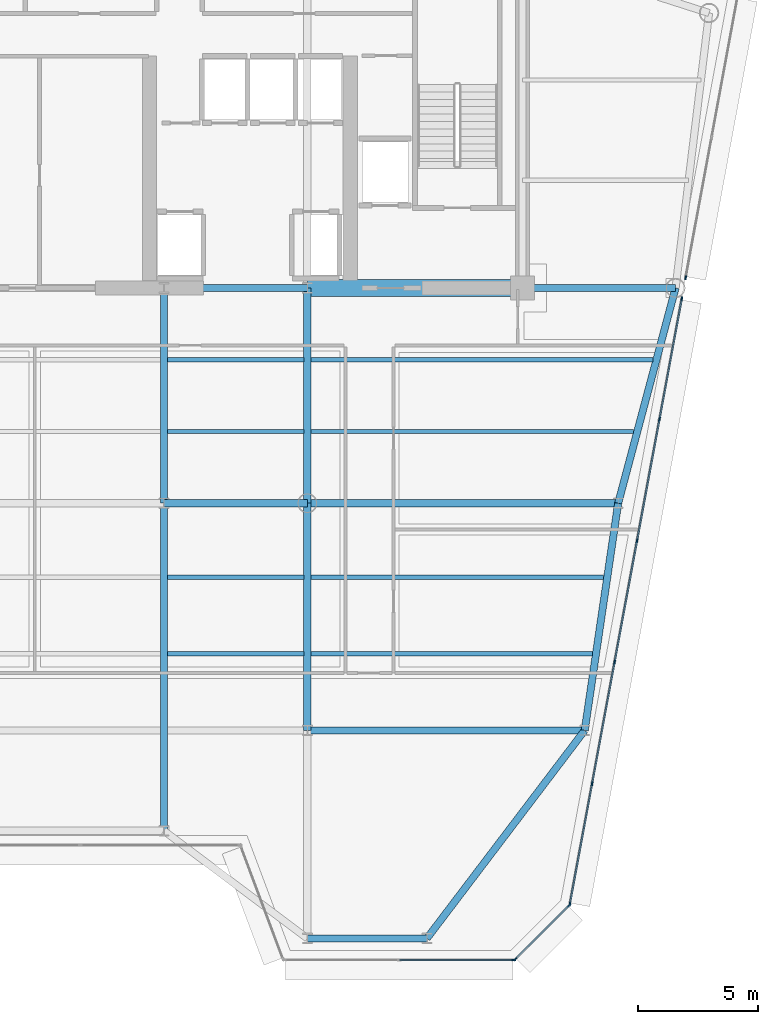
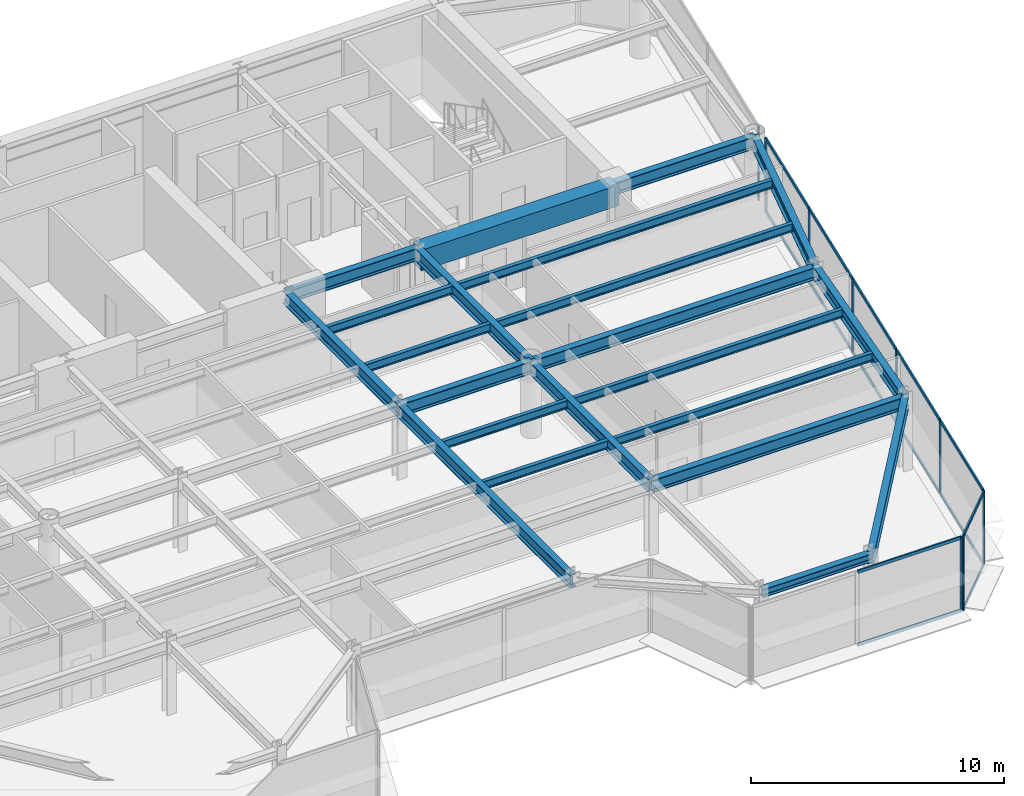
# One storey, part 6 of 16: 24 members, 22 beams, 4 elements without a shape of their own.
"""IFC4 building model written with IfcOpenShell, lengths in metres."""

from ifc_helpers import new_model, si_unit, direction, frame, origin, origin_2d, place, context, subcontext, project, spatial, rectangle, i_section, extrude, source, transform, mapped, material, layer, layer_set, material_profile, profile_set, type_object, element, aggregate, save


model = new_model("IFC4")

# Units and contexts
model_context = context("Model", 3, precision=1e-05, world=origin(), true_north=direction((0.0, 1.0)))
body_context = subcontext(model_context, "Body", "Model", "MODEL_VIEW")
ifc_project = project(units=[si_unit("LENGTHUNIT", "METRE"), si_unit("AREAUNIT", "SQUARE_METRE"), si_unit("VOLUMEUNIT", "CUBIC_METRE"), si_unit("PLANEANGLEUNIT", "RADIAN"), si_unit("MASSUNIT", "GRAM", prefix="KILO")], contexts=[model_context])

# Site, building, storey
site_placement = place(None, origin())
site = spatial("IfcSite", under=ifc_project, at=site_placement, CompositionType="ELEMENT")
building_placement = place(site_placement, origin())
building = spatial("IfcBuilding", under=site, at=building_placement, Name="Vaeldorn Concourse Tower", CompositionType="ELEMENT")
storey_placement = place(building_placement, frame((0.0, 0.0, 210.800048828125)))
storey = spatial("IfcBuildingStorey", under=building, at=storey_placement, Name="L54", CompositionType="ELEMENT", Elevation=210.800048828125)

# Beams
ifc_material_1 = material(Name="Concrete C50/60", Category="concrete")
ifc_material_profile_1 = material_profile(ifc_material_1, rectangle(XDim=0.699951171875, YDim=1.0, at=origin_2d()), Name="RC 700x1000")
ifc_profile_set_1 = profile_set([ifc_material_profile_1], Name="Concrete C50/60")
beam_type_1 = type_object("IfcBeamType", Name="BM-CB-RC700", PredefinedType="BEAM", material=ifc_profile_set_1)
shared_shape_1 = source(origin(), body_context, "Body", "SweptSolid", [
    extrude(rectangle(XDim=0.699951171875, YDim=1.0, at=origin_2d()), origin(), (0.0, 0.0, 1.0), 9.0),
])
beam_1_placement = place(storey_placement, frame((45.0, 36.5, 3.079833984375), z_axis=(1.0, 0.0, 0.0), x_axis=(0.0, 1.0, 0.0)))
element("IfcBeam", 1, at=beam_1_placement, inside=storey, type_object=beam_type_1, Name="Core Coupling Beam L54-2", PredefinedType="BEAM", context=body_context, shape_type="MappedRepresentation", body=[
    mapped(shared_shape_1, transform((0.0, 0.0, 0.0), scale=1.0)),
])
ifc_material_2 = material(Name="Steel S355", Category="steel")
ifc_material_profile_2 = material_profile(ifc_material_2, i_section(OverallWidth=0.300048828125, OverallDepth=0.60009765625, WebThickness=0.015380859375, FlangeThickness=0.030029296875, FilletRadius=0.027099609375, at=origin_2d()), Name="HEB 600")
ifc_profile_set_2 = profile_set([ifc_material_profile_2], Name="Steel S355")
beam_type_2 = type_object("IfcBeamType", Name="BM-PG-HEB600", PredefinedType="BEAM", material=ifc_profile_set_2)
shared_shape_2 = source(origin(), body_context, "Body", "SweptSolid", [
    extrude(i_section(OverallWidth=0.300048828125, OverallDepth=0.60009765625, WebThickness=0.015380859375, FlangeThickness=0.030029296875, FilletRadius=0.027099609375, at=origin_2d()), origin(), (0.0, 0.0, 1.0), 6.0),
])
for number, where, z_axis, x_axis, name in (
    (2, (39.0, 36.5, 3.280029296875), (1.0, 0.0, 0.0), (0.0, 1.0, 0.0), "Beam BM-L54-C-FC4-C-FC5"),
    (3, (39.0, 27.5, 3.280029296875), (1.0, 0.0, 0.0), (0.0, 1.0, 0.0), "Beam BM-L54-C-TW3-C-TW4"),
):
    element("IfcBeam", number, at=place(storey_placement, frame(where, z_axis=z_axis, x_axis=x_axis)), inside=storey, type_object=beam_type_2, Name=name, PredefinedType="BEAM", context=body_context, shape_type="MappedRepresentation", body=[
        mapped(shared_shape_2, transform((0.0, 0.0, 0.0), scale=1.0)),
    ])
shared_shape_3 = source(origin(), body_context, "Body", "SweptSolid", [
    extrude(i_section(OverallWidth=0.300048828125, OverallDepth=0.60009765625, WebThickness=0.015380859375, FlangeThickness=0.030029296875, FilletRadius=0.027099609375, at=origin_2d()), origin(), (0.0, 0.0, 1.0), 9.0),
])
for number, where, z_axis, x_axis, name in (
    (4, (39.0, 27.5, 3.280029296875), (0.0, 1.0, 0.0), (-1.0, 0.0, 0.0), "Beam BM-L54-C-TW3-C-FC4"),
    (5, (45.0, 27.5, 3.280029296875), (0.0, 1.0, 0.0), (-1.0, 0.0, 0.0), "Beam BM-L54-C-TW4-C-FC5"),
):
    element("IfcBeam", number, at=place(storey_placement, frame(where, z_axis=z_axis, x_axis=x_axis)), inside=storey, type_object=beam_type_2, Name=name, PredefinedType="BEAM", context=body_context, shape_type="MappedRepresentation", body=[
        mapped(shared_shape_3, transform((0.0, 0.0, 0.0), scale=1.0)),
    ])
shared_shape_4 = source(origin(), body_context, "Body", "SweptSolid", [
    extrude(i_section(OverallWidth=0.300048828125, OverallDepth=0.60009765625, WebThickness=0.015380859375, FlangeThickness=0.030029296875, FilletRadius=0.027099609375, at=origin_2d()), origin(), (0.0, 0.0, 1.0), 6.39990234375),
])
beam_2_placement = place(storey_placement, frame((54.0, 36.5, 3.280029296875), z_axis=(1.0, 0.0, 0.0), x_axis=(0.0, 1.0, 0.0)))
element("IfcBeam", 6, at=beam_2_placement, inside=storey, type_object=beam_type_2, Name="Beam BM-L54-C-FC6-C-NE2", PredefinedType="BEAM", context=body_context, shape_type="MappedRepresentation", body=[
    mapped(shared_shape_4, transform((0.0, 0.0, 0.0), scale=1.0)),
])
shared_shape_5 = source(origin(), body_context, "Body", "SweptSolid", [
    extrude(i_section(OverallWidth=0.300048828125, OverallDepth=0.60009765625, WebThickness=0.015380859375, FlangeThickness=0.030029296875, FilletRadius=0.027099609375, at=origin_2d()), origin(), (0.0, 0.0, 1.0), 9.314453125),
])
beam_3_placement = place(storey_placement, frame((60.39990234375, 36.5, 3.280029296875), z_axis=(-0.257652862255, -0.966237549763, 0.0), x_axis=(0.966237549763, -0.257652862255, 0.0)))
element("IfcBeam", 7, at=beam_3_placement, inside=storey, type_object=beam_type_2, Name="Beam BM-L54-C-NE2-C-FLE1", PredefinedType="BEAM", context=body_context, shape_type="MappedRepresentation", body=[
    mapped(shared_shape_5, transform((0.0, 0.0, 0.0), scale=1.0)),
])
shared_shape_6 = source(origin(), body_context, "Body", "SweptSolid", [
    extrude(i_section(OverallWidth=0.300048828125, OverallDepth=0.60009765625, WebThickness=0.015380859375, FlangeThickness=0.030029296875, FilletRadius=0.027099609375, at=origin_2d()), origin(), (0.0, 0.0, 1.0), 13.0),
])
beam_4_placement = place(storey_placement, frame((45.0, 27.5, 3.280029296875), z_axis=(1.0, 0.0, 0.0), x_axis=(0.0, 1.0, 0.0)))
element("IfcBeam", 8, at=beam_4_placement, inside=storey, type_object=beam_type_2, Name="Beam BM-L54-C-TW4-C-FLE1", PredefinedType="BEAM", context=body_context, shape_type="MappedRepresentation", body=[
    mapped(shared_shape_6, transform((0.0, 0.0, 0.0), scale=1.0)),
])
shared_shape_7 = source(origin(), body_context, "Body", "SweptSolid", [
    extrude(i_section(OverallWidth=0.300048828125, OverallDepth=0.60009765625, WebThickness=0.015380859375, FlangeThickness=0.030029296875, FilletRadius=0.027099609375, at=origin_2d()), origin(), (0.0, 0.0, 1.0), 9.6025390625),
])
beam_5_placement = place(storey_placement, frame((58.0, 27.5, 3.280029296875), z_axis=(-0.145783835977, -0.989316467652, 0.0), x_axis=(0.989316467652, -0.145783835977, 0.0)))
element("IfcBeam", 9, at=beam_5_placement, inside=storey, type_object=beam_type_2, Name="Beam BM-L54-C-FLE1-C-FLE2", PredefinedType="BEAM", context=body_context, shape_type="MappedRepresentation", body=[
    mapped(shared_shape_7, transform((0.0, 0.0, 0.0), scale=1.0)),
])
shared_shape_8 = source(origin(), body_context, "Body", "SweptSolid", [
    extrude(i_section(OverallWidth=0.300048828125, OverallDepth=0.60009765625, WebThickness=0.015380859375, FlangeThickness=0.030029296875, FilletRadius=0.027099609375, at=origin_2d()), origin(), (0.0, 0.0, 1.0), 11.60009765625),
])
beam_6_placement = place(storey_placement, frame((45.0, 18.0, 3.280029296875), z_axis=(1.0, 0.0, 0.0), x_axis=(0.0, 1.0, 0.0)))
element("IfcBeam", 10, at=beam_6_placement, inside=storey, type_object=beam_type_2, Name="Beam BM-L54-C-TW6-C-FLE2", PredefinedType="BEAM", context=body_context, shape_type="MappedRepresentation", body=[
    mapped(shared_shape_8, transform((0.0, 0.0, 0.0), scale=1.0)),
])
shared_shape_9 = source(origin(), body_context, "Body", "SweptSolid", [
    extrude(i_section(OverallWidth=0.300048828125, OverallDepth=0.60009765625, WebThickness=0.015380859375, FlangeThickness=0.030029296875, FilletRadius=0.027099609375, at=origin_2d()), origin(), (0.0, 0.0, 1.0), 9.5),
])
beam_7_placement = place(storey_placement, frame((45.0, 18.0, 3.280029296875), z_axis=(0.0, 1.0, 0.0), x_axis=(-1.0, 0.0, 0.0)))
element("IfcBeam", 11, at=beam_7_placement, inside=storey, type_object=beam_type_2, Name="Beam BM-L54-C-TW6-C-TW4", PredefinedType="BEAM", context=body_context, shape_type="MappedRepresentation", body=[
    mapped(shared_shape_9, transform((0.0, 0.0, 0.0), scale=1.0)),
])
ifc_material_profile_3 = material_profile(ifc_material_2, i_section(OverallWidth=0.300048828125, OverallDepth=0.39990234375, WebThickness=0.013427734375, FlangeThickness=0.02392578125, FilletRadius=0.027099609375, at=origin_2d()), Name="HEB 400")
ifc_profile_set_3 = profile_set([ifc_material_profile_3], Name="Steel S355")
beam_type_3 = type_object("IfcBeamType", Name="BM-SP-HEB400", PredefinedType="SPANDREL", material=ifc_profile_set_3)
shared_shape_10 = source(origin(), body_context, "Body", "SweptSolid", [
    extrude(i_section(OverallWidth=0.300048828125, OverallDepth=0.39990234375, WebThickness=0.013427734375, FlangeThickness=0.02392578125, FilletRadius=0.027099609375, at=origin_2d()), origin(), (0.0, 0.0, 1.0), 5.0),
])
beam_8_placement = place(storey_placement, frame((45.0, 9.300048828125, 3.3798828125), z_axis=(1.0, 0.0, 0.0), x_axis=(0.0, 1.0, 0.0)))
element("IfcBeam", 12, at=beam_8_placement, inside=storey, type_object=beam_type_3, Name="Beam BM-L54-C-SF5-C-SF6", PredefinedType="SPANDREL", context=body_context, shape_type="MappedRepresentation", body=[
    mapped(shared_shape_10, transform((0.0, 0.0, 0.0), scale=1.0)),
])
ifc_material_profile_4 = material_profile(ifc_material_2, i_section(OverallWidth=0.179931640625, OverallDepth=0.39990234375, WebThickness=0.008544921875, FlangeThickness=0.013427734375, FilletRadius=0.02099609375, at=origin_2d()), Name="IPE 400")
ifc_profile_set_4 = profile_set([ifc_material_profile_4], Name="Steel S355")
beam_type_4 = type_object("IfcBeamType", Name="BM-JS-IPE400", PredefinedType="JOIST", material=ifc_profile_set_4)
shared_shape_11 = source(origin(), body_context, "Body", "SweptSolid", [
    extrude(i_section(OverallWidth=0.179931640625, OverallDepth=0.39990234375, WebThickness=0.008544921875, FlangeThickness=0.013427734375, FilletRadius=0.02099609375, at=origin_2d()), origin(), (0.0, 0.0, 1.0), 5.7001953125),
])
for number, where, z_axis, x_axis, name in (
    (13, (39.14990234375, 21.199951171875, 3.3798828125), (1.0, 0.0, 0.0), (0.0, 1.0, 0.0), "Beam JS-L54-E2-212"),
    (14, (39.14990234375, 24.39990234375, 3.3798828125), (1.0, 0.0, 0.0), (0.0, 1.0, 0.0), "Beam JS-L54-E2-244"),
    (15, (39.14990234375, 30.5, 3.3798828125), (1.0, 0.0, 0.0), (0.0, 1.0, 0.0), "Beam JS-L54-E2-305"),
    (16, (39.14990234375, 33.5, 3.3798828125), (1.0, 0.0, 0.0), (0.0, 1.0, 0.0), "Beam JS-L54-E2-335"),
):
    element("IfcBeam", number, at=place(storey_placement, frame(where, z_axis=z_axis, x_axis=x_axis)), inside=storey, type_object=beam_type_4, Name=name, PredefinedType="JOIST", context=body_context, shape_type="MappedRepresentation", body=[
        mapped(shared_shape_11, transform((0.0, 0.0, 0.0), scale=1.0)),
    ])
shared_shape_12 = source(origin(), body_context, "Body", "SweptSolid", [
    extrude(i_section(OverallWidth=0.300048828125, OverallDepth=0.60009765625, WebThickness=0.015380859375, FlangeThickness=0.030029296875, FilletRadius=0.027099609375, at=origin_2d()), origin(), (0.0, 0.0, 1.0), 10.920166015625),
])
beam_9_placement = place(storey_placement, frame((50.0, 9.300048828125, 3.280029296875), z_axis=(0.604394310451, 0.796685331542, 0.0), x_axis=(-0.796685331542, 0.604394310451, 0.0)))
element("IfcBeam", 17, at=beam_9_placement, inside=storey, type_object=beam_type_2, Name="Beam BM-L54-C-SF6-C-FLE2", PredefinedType="BEAM", context=body_context, shape_type="MappedRepresentation", body=[
    mapped(shared_shape_12, transform((0.0, 0.0, 0.0), scale=1.0)),
])
shared_shape_13 = source(origin(), body_context, "Body", "SweptSolid", [
    extrude(i_section(OverallWidth=0.300048828125, OverallDepth=0.60009765625, WebThickness=0.015380859375, FlangeThickness=0.030029296875, FilletRadius=0.027099609375, at=origin_2d()), origin(), (0.0, 0.0, 1.0), 13.699951171875),
])
beam_10_placement = place(storey_placement, frame((39.0, 13.800048828125, 3.280029296875), z_axis=(0.0, 1.0, 0.0), x_axis=(-1.0, 0.0, 0.0)))
element("IfcBeam", 18, at=beam_10_placement, inside=storey, type_object=beam_type_2, Name="Beam BM-L54-C-SF4-C-TW3", PredefinedType="BEAM", context=body_context, shape_type="MappedRepresentation", body=[
    mapped(shared_shape_13, transform((0.0, 0.0, 0.0), scale=1.0)),
])
shared_shape_14 = source(origin(), body_context, "Body", "SweptSolid", [
    extrude(i_section(OverallWidth=0.179931640625, OverallDepth=0.39990234375, WebThickness=0.008544921875, FlangeThickness=0.013427734375, FilletRadius=0.02099609375, at=origin_2d()), origin(), (0.0, 0.0, 1.0), 11.771728515625),
])
beam_11_placement = place(storey_placement, frame((45.14990234375, 21.199951171875, 3.3798828125), z_axis=(1.0, 0.0, 0.0), x_axis=(0.0, 1.0, 0.0)))
element("IfcBeam", 19, at=beam_11_placement, inside=storey, type_object=beam_type_4, Name="Beam JS-L54-E1-212", PredefinedType="JOIST", context=body_context, shape_type="MappedRepresentation", body=[
    mapped(shared_shape_14, transform((0.0, 0.0, 0.0), scale=1.0)),
])
shared_shape_15 = source(origin(), body_context, "Body", "SweptSolid", [
    extrude(i_section(OverallWidth=0.179931640625, OverallDepth=0.39990234375, WebThickness=0.008544921875, FlangeThickness=0.013427734375, FilletRadius=0.02099609375, at=origin_2d()), origin(), (0.0, 0.0, 1.0), 12.243408203125),
])
beam_12_placement = place(storey_placement, frame((45.14990234375, 24.39990234375, 3.3798828125), z_axis=(1.0, 0.0, 0.0), x_axis=(0.0, 1.0, 0.0)))
element("IfcBeam", 20, at=beam_12_placement, inside=storey, type_object=beam_type_4, Name="Beam JS-L54-E1-244", PredefinedType="JOIST", context=body_context, shape_type="MappedRepresentation", body=[
    mapped(shared_shape_15, transform((0.0, 0.0, 0.0), scale=1.0)),
])
shared_shape_16 = source(origin(), body_context, "Body", "SweptSolid", [
    extrude(i_section(OverallWidth=0.179931640625, OverallDepth=0.39990234375, WebThickness=0.008544921875, FlangeThickness=0.013427734375, FilletRadius=0.02099609375, at=origin_2d()), origin(), (0.0, 0.0, 1.0), 13.5),
])
beam_13_placement = place(storey_placement, frame((45.14990234375, 30.5, 3.3798828125), z_axis=(1.0, 0.0, 0.0), x_axis=(0.0, 1.0, 0.0)))
element("IfcBeam", 21, at=beam_13_placement, inside=storey, type_object=beam_type_4, Name="Beam JS-L54-E1-305", PredefinedType="JOIST", context=body_context, shape_type="MappedRepresentation", body=[
    mapped(shared_shape_16, transform((0.0, 0.0, 0.0), scale=1.0)),
])
shared_shape_17 = source(origin(), body_context, "Body", "SweptSolid", [
    extrude(i_section(OverallWidth=0.179931640625, OverallDepth=0.39990234375, WebThickness=0.008544921875, FlangeThickness=0.013427734375, FilletRadius=0.02099609375, at=origin_2d()), origin(), (0.0, 0.0, 1.0), 14.300048828125),
])
beam_14_placement = place(storey_placement, frame((45.14990234375, 33.5, 3.3798828125), z_axis=(1.0, 0.0, 0.0), x_axis=(0.0, 1.0, 0.0)))
element("IfcBeam", 22, at=beam_14_placement, inside=storey, type_object=beam_type_4, Name="Beam JS-L54-E1-335", PredefinedType="JOIST", context=body_context, shape_type="MappedRepresentation", body=[
    mapped(shared_shape_17, transform((0.0, 0.0, 0.0), scale=1.0)),
])

# Curtain wall, member
ifc_material_3 = material(Name="Anodised Bronze Aluminium", Category="aluminium")
ifc_layer = layer(ifc_material_3, 0.18994140625)
ifc_layer_set = layer_set([ifc_layer], Name="Anodised Bronze Aluminium")
curtain_wall_type = type_object("IfcCurtainWallType", Name="CW-SYS-03", PredefinedType="NOTDEFINED", material=ifc_layer_set)
curtain_wall_1_placement = place(storey_placement, origin())
curtain_wall_1 = element("IfcCurtainWall", 23, at=curtain_wall_1_placement, inside=storey, type_object=curtain_wall_type, Name="Unitised Curtain Wall CW-L54-E05-1", PredefinedType="NOTDEFINED")
ifc_material_profile_5 = material_profile(ifc_material_3, rectangle(XDim=0.06494140625, YDim=0.169921875, at=origin_2d()), Name="CWM 65x170")
ifc_profile_set_5 = profile_set([ifc_material_profile_5], Name="Anodised Bronze Aluminium")
member_type_1 = type_object("IfcMemberType", Name="CWM-BRONZE-170", PredefinedType="MULLION", material=ifc_profile_set_5)
shared_shape_18 = source(origin(), body_context, "Body", "SweptSolid", [
    extrude(rectangle(XDim=0.06494140625, YDim=0.169921875, at=origin_2d()), origin(), (0.0, 0.0, 1.0), 3.579833984375),
])
member_1_placement = place(storey_placement, frame((53.638427734375, 8.39990234375, 0.0), z_axis=(0.0, 0.0, 1.0), x_axis=(0.0, 1.0, 0.0)))
member_1 = element("IfcMember", 24, at=member_1_placement, type_object=member_type_1, Name="CW-03 mullion 3", PredefinedType="MULLION", context=body_context, shape_type="MappedRepresentation", body=[
    mapped(shared_shape_18, transform((0.0, 0.0, 0.0), scale=1.0)),
])

# Curtain wall, members
curtain_wall_2_placement = place(storey_placement, origin())
curtain_wall_2 = element("IfcCurtainWall", 25, at=curtain_wall_2_placement, inside=storey, type_object=curtain_wall_type, Name="Unitised Curtain Wall CW-L54-E06-1", PredefinedType="NOTDEFINED")
member_2_placement = place(storey_placement, frame((53.694091796875, 8.423095703125, 0.0), z_axis=(0.0, 0.0, 1.0), x_axis=(-0.707106781187, 0.707106781187, 0.0)))
member_2 = element("IfcMember", 26, at=member_2_placement, type_object=member_type_1, Name="CW-03 mullion 1", PredefinedType="MULLION", context=body_context, shape_type="MappedRepresentation", body=[
    mapped(shared_shape_18, transform((0.0, 0.0, 0.0), scale=1.0)),
])
member_3_placement = place(storey_placement, frame((55.947998046875, 10.677001953125, 0.0), z_axis=(0.0, 0.0, 1.0), x_axis=(-0.707106781187, 0.707106781187, 0.0)))
member_3 = element("IfcMember", 27, at=member_3_placement, type_object=member_type_1, Name="CW-03 mullion 2", PredefinedType="MULLION", context=body_context, shape_type="MappedRepresentation", body=[
    mapped(shared_shape_18, transform((0.0, 0.0, 0.0), scale=1.0)),
])

curtain_wall_3_placement = place(storey_placement, origin())
curtain_wall_3 = element("IfcCurtainWall", 28, at=curtain_wall_3_placement, inside=storey, type_object=curtain_wall_type, Name="Unitised Curtain Wall CW-L54-E07-1", PredefinedType="NOTDEFINED")
member_4_placement = place(storey_placement, frame((55.976806640625, 10.73193359375, 0.0), z_axis=(0.0, 0.0, 1.0), x_axis=(-0.983319079021, 0.181888946432, 0.0)))
member_4 = element("IfcMember", 29, at=member_4_placement, type_object=member_type_1, Name="CW-03 mullion 1", PredefinedType="MULLION", context=body_context, shape_type="MappedRepresentation", body=[
    mapped(shared_shape_18, transform((0.0, 0.0, 0.0), scale=1.0)),
])
member_5_placement = place(storey_placement, frame((56.91015625, 15.776611328125, 0.0), z_axis=(0.0, 0.0, 1.0), x_axis=(-0.983319079021, 0.181888946432, 0.0)))
member_5 = element("IfcMember", 30, at=member_5_placement, type_object=member_type_1, Name="CW-03 mullion 2", PredefinedType="MULLION", context=body_context, shape_type="MappedRepresentation", body=[
    mapped(shared_shape_18, transform((0.0, 0.0, 0.0), scale=1.0)),
])
member_6_placement = place(storey_placement, frame((57.84912109375, 20.853515625, 0.0), z_axis=(0.0, 0.0, 1.0), x_axis=(-0.983319079021, 0.181888946432, 0.0)))
member_6 = element("IfcMember", 31, at=member_6_placement, type_object=member_type_1, Name="CW-03 mullion 3", PredefinedType="MULLION", context=body_context, shape_type="MappedRepresentation", body=[
    mapped(shared_shape_18, transform((0.0, 0.0, 0.0), scale=1.0)),
])
member_7_placement = place(storey_placement, frame((58.7880859375, 25.93017578125, 0.0), z_axis=(0.0, 0.0, 1.0), x_axis=(-0.983319079021, 0.181888946432, 0.0)))
member_7 = element("IfcMember", 32, at=member_7_placement, type_object=member_type_1, Name="CW-03 mullion 4", PredefinedType="MULLION", context=body_context, shape_type="MappedRepresentation", body=[
    mapped(shared_shape_18, transform((0.0, 0.0, 0.0), scale=1.0)),
])
member_8_placement = place(storey_placement, frame((59.727294921875, 31.0068359375, 0.0), z_axis=(0.0, 0.0, 1.0), x_axis=(-0.983319079021, 0.181888946432, 0.0)))
member_8 = element("IfcMember", 33, at=member_8_placement, type_object=member_type_1, Name="CW-03 mullion 5", PredefinedType="MULLION", context=body_context, shape_type="MappedRepresentation", body=[
    mapped(shared_shape_18, transform((0.0, 0.0, 0.0), scale=1.0)),
])
member_9_placement = place(storey_placement, frame((60.660400390625, 36.051513671875, 0.0), z_axis=(0.0, 0.0, 1.0), x_axis=(-0.983319079021, 0.181888946432, 0.0)))
member_9 = element("IfcMember", 34, at=member_9_placement, type_object=member_type_1, Name="CW-03 mullion 6", PredefinedType="MULLION", context=body_context, shape_type="MappedRepresentation", body=[
    mapped(shared_shape_18, transform((0.0, 0.0, 0.0), scale=1.0)),
])

# Curtain wall, member
curtain_wall_4_placement = place(storey_placement, origin())
curtain_wall_4 = element("IfcCurtainWall", 35, at=curtain_wall_4_placement, inside=storey, type_object=curtain_wall_type, Name="Unitised Curtain Wall CW-L54-E07-2", PredefinedType="NOTDEFINED")
member_10_placement = place(storey_placement, frame((60.822509765625, 36.927490234375, 0.0), z_axis=(0.0, 0.0, 1.0), x_axis=(-0.983319270992, 0.181887908602, 0.0)))
member_10 = element("IfcMember", 36, at=member_10_placement, type_object=member_type_1, Name="CW-03 mullion 1", PredefinedType="MULLION", context=body_context, shape_type="MappedRepresentation", body=[
    mapped(shared_shape_18, transform((0.0, 0.0, 0.0), scale=1.0)),
])
aggregate(curtain_wall_4, [member_10])

# Member
ifc_material_profile_6 = material_profile(ifc_material_3, rectangle(XDim=0.06494140625, YDim=0.14990234375, at=origin_2d()), Name="CWT 65x150")
ifc_profile_set_6 = profile_set([ifc_material_profile_6], Name="Anodised Bronze Aluminium")
member_type_2 = type_object("IfcMemberType", Name="CWT-BRONZE-150", PredefinedType="USERDEFINED", material=ifc_profile_set_6)
shared_shape_19 = source(origin(), body_context, "Body", "SweptSolid", [
    extrude(rectangle(XDim=0.06494140625, YDim=0.14990234375, at=origin_2d()), origin(), (0.0, 0.0, 1.0), 3.12255859375),
])
member_11_placement = place(storey_placement, frame((53.717041015625, 8.446044921875, 0.032470703125), z_axis=(0.707106781187, 0.707106781187, 0.0), x_axis=(-0.707106781187, 0.707106781187, 0.0)))
member_11 = element("IfcMember", 37, at=member_11_placement, type_object=member_type_2, Name="CW-03 transom 1.1", ObjectType="TRANSOM", PredefinedType="USERDEFINED", context=body_context, shape_type="MappedRepresentation", body=[
    mapped(shared_shape_19, transform((0.0, 0.0, 0.0), scale=1.0)),
])

member_12_placement = place(storey_placement, frame((53.717041015625, 8.446044921875, 3.54736328125), z_axis=(0.707106781187, 0.707106781187, 0.0), x_axis=(-0.707106781187, 0.707106781187, 0.0)))
member_12 = element("IfcMember", 38, at=member_12_placement, type_object=member_type_2, Name="CW-03 transom 1.2", ObjectType="TRANSOM", PredefinedType="USERDEFINED", context=body_context, shape_type="MappedRepresentation", body=[
    mapped(shared_shape_19, transform((0.0, 0.0, 0.0), scale=1.0)),
])

aggregate(curtain_wall_2, [member_2, member_3, member_11, member_12])

shared_shape_20 = source(origin(), body_context, "Body", "SweptSolid", [
    extrude(rectangle(XDim=0.06494140625, YDim=0.14990234375, at=origin_2d()), origin(), (0.0, 0.0, 1.0), 5.065185546875),
])
member_13_placement = place(storey_placement, frame((55.98291015625, 10.763916015625, 0.032470703125), z_axis=(0.181857972654, 0.983324807875, 0.0), x_axis=(-0.983324807875, 0.181857972654, 0.0)))
member_13 = element("IfcMember", 39, at=member_13_placement, type_object=member_type_2, Name="CW-03 transom 1.1", ObjectType="TRANSOM", PredefinedType="USERDEFINED", context=body_context, shape_type="MappedRepresentation", body=[
    mapped(shared_shape_20, transform((0.0, 0.0, 0.0), scale=1.0)),
])

member_14_placement = place(storey_placement, frame((55.98291015625, 10.763916015625, 3.54736328125), z_axis=(0.181857972654, 0.983324807875, 0.0), x_axis=(-0.983324807875, 0.181857972654, 0.0)))
member_14 = element("IfcMember", 40, at=member_14_placement, type_object=member_type_2, Name="CW-03 transom 1.2", ObjectType="TRANSOM", PredefinedType="USERDEFINED", context=body_context, shape_type="MappedRepresentation", body=[
    mapped(shared_shape_20, transform((0.0, 0.0, 0.0), scale=1.0)),
])

member_15_placement = place(storey_placement, frame((59.733154296875, 31.038818359375, 0.032470703125), z_axis=(0.181904577794, 0.983316187489, 0.0), x_axis=(-0.983316187489, 0.181904577794, 0.0)))
member_15 = element("IfcMember", 41, at=member_15_placement, type_object=member_type_2, Name="CW-03 transom 5.1", ObjectType="TRANSOM", PredefinedType="USERDEFINED", context=body_context, shape_type="MappedRepresentation", body=[
    mapped(shared_shape_20, transform((0.0, 0.0, 0.0), scale=1.0)),
])

member_16_placement = place(storey_placement, frame((59.733154296875, 31.038818359375, 3.54736328125), z_axis=(0.181904577794, 0.983316187489, 0.0), x_axis=(-0.983316187489, 0.181904577794, 0.0)))
member_16 = element("IfcMember", 42, at=member_16_placement, type_object=member_type_2, Name="CW-03 transom 5.2", ObjectType="TRANSOM", PredefinedType="USERDEFINED", context=body_context, shape_type="MappedRepresentation", body=[
    mapped(shared_shape_20, transform((0.0, 0.0, 0.0), scale=1.0)),
])

shared_shape_21 = source(origin(), body_context, "Body", "SweptSolid", [
    extrude(rectangle(XDim=0.06494140625, YDim=0.14990234375, at=origin_2d()), origin(), (0.0, 0.0, 1.0), 5.097900390625),
])
member_17_placement = place(storey_placement, frame((56.916015625, 15.80859375, 0.032470703125), z_axis=(0.181885185048, 0.983319774773, 0.0), x_axis=(-0.983319774773, 0.181885185048, 0.0)))
member_17 = element("IfcMember", 43, at=member_17_placement, type_object=member_type_2, Name="CW-03 transom 2.1", ObjectType="TRANSOM", PredefinedType="USERDEFINED", context=body_context, shape_type="MappedRepresentation", body=[
    mapped(shared_shape_21, transform((0.0, 0.0, 0.0), scale=1.0)),
])

member_18_placement = place(storey_placement, frame((56.916015625, 15.80859375, 3.54736328125), z_axis=(0.181885185048, 0.983319774773, 0.0), x_axis=(-0.983319774773, 0.181885185048, 0.0)))
member_18 = element("IfcMember", 44, at=member_18_placement, type_object=member_type_2, Name="CW-03 transom 2.2", ObjectType="TRANSOM", PredefinedType="USERDEFINED", context=body_context, shape_type="MappedRepresentation", body=[
    mapped(shared_shape_21, transform((0.0, 0.0, 0.0), scale=1.0)),
])

member_19_placement = place(storey_placement, frame((57.85498046875, 20.88525390625, 0.032470703125), z_axis=(0.181885185048, 0.983319774773, 0.0), x_axis=(-0.983319774773, 0.181885185048, 0.0)))
member_19 = element("IfcMember", 45, at=member_19_placement, type_object=member_type_2, Name="CW-03 transom 3.1", ObjectType="TRANSOM", PredefinedType="USERDEFINED", context=body_context, shape_type="MappedRepresentation", body=[
    mapped(shared_shape_21, transform((0.0, 0.0, 0.0), scale=1.0)),
])

member_20_placement = place(storey_placement, frame((57.85498046875, 20.88525390625, 3.54736328125), z_axis=(0.181885185048, 0.983319774773, 0.0), x_axis=(-0.983319774773, 0.181885185048, 0.0)))
member_20 = element("IfcMember", 46, at=member_20_placement, type_object=member_type_2, Name="CW-03 transom 3.2", ObjectType="TRANSOM", PredefinedType="USERDEFINED", context=body_context, shape_type="MappedRepresentation", body=[
    mapped(shared_shape_21, transform((0.0, 0.0, 0.0), scale=1.0)),
])

shared_shape_22 = source(origin(), body_context, "Body", "SweptSolid", [
    extrude(rectangle(XDim=0.06494140625, YDim=0.14990234375, at=origin_2d()), origin(), (0.0, 0.0, 1.0), 5.09765625),
])
member_21_placement = place(storey_placement, frame((58.794189453125, 25.962158203125, 0.032470703125), z_axis=(0.181893750584, 0.983318190363, 0.0), x_axis=(-0.983318190363, 0.181893750584, 0.0)))
member_21 = element("IfcMember", 47, at=member_21_placement, type_object=member_type_2, Name="CW-03 transom 4.1", ObjectType="TRANSOM", PredefinedType="USERDEFINED", context=body_context, shape_type="MappedRepresentation", body=[
    mapped(shared_shape_22, transform((0.0, 0.0, 0.0), scale=1.0)),
])

member_22_placement = place(storey_placement, frame((58.794189453125, 25.962158203125, 3.54736328125), z_axis=(0.181893750584, 0.983318190363, 0.0), x_axis=(-0.983318190363, 0.181893750584, 0.0)))
member_22 = element("IfcMember", 48, at=member_22_placement, type_object=member_type_2, Name="CW-03 transom 4.2", ObjectType="TRANSOM", PredefinedType="USERDEFINED", context=body_context, shape_type="MappedRepresentation", body=[
    mapped(shared_shape_22, transform((0.0, 0.0, 0.0), scale=1.0)),
])

aggregate(curtain_wall_3, [member_4, member_5, member_6, member_7, member_8, member_9, member_13, member_14, member_17, member_18, member_19, member_20, member_21, member_22, member_15, member_16])

shared_shape_23 = source(origin(), body_context, "Body", "SweptSolid", [
    extrude(rectangle(XDim=0.06494140625, YDim=0.14990234375, at=origin_2d()), origin(), (0.0, 0.0, 1.0), 4.738037109375),
])
member_23_placement = place(storey_placement, frame((48.867919921875, 8.39990234375, 0.032470703125), z_axis=(1.0, 0.0, 0.0), x_axis=(0.0, 1.0, 0.0)))
member_23 = element("IfcMember", 49, at=member_23_placement, type_object=member_type_2, Name="CW-03 transom 2.1", ObjectType="TRANSOM", PredefinedType="USERDEFINED", context=body_context, shape_type="MappedRepresentation", body=[
    mapped(shared_shape_23, transform((0.0, 0.0, 0.0), scale=1.0)),
])

member_24_placement = place(storey_placement, frame((48.867919921875, 8.39990234375, 3.54736328125), z_axis=(1.0, 0.0, 0.0), x_axis=(0.0, 1.0, 0.0)))
member_24 = element("IfcMember", 50, at=member_24_placement, type_object=member_type_2, Name="CW-03 transom 2.2", ObjectType="TRANSOM", PredefinedType="USERDEFINED", context=body_context, shape_type="MappedRepresentation", body=[
    mapped(shared_shape_23, transform((0.0, 0.0, 0.0), scale=1.0)),
])

aggregate(curtain_wall_1, [member_1, member_23, member_24])

save(model, "model.ifc")
